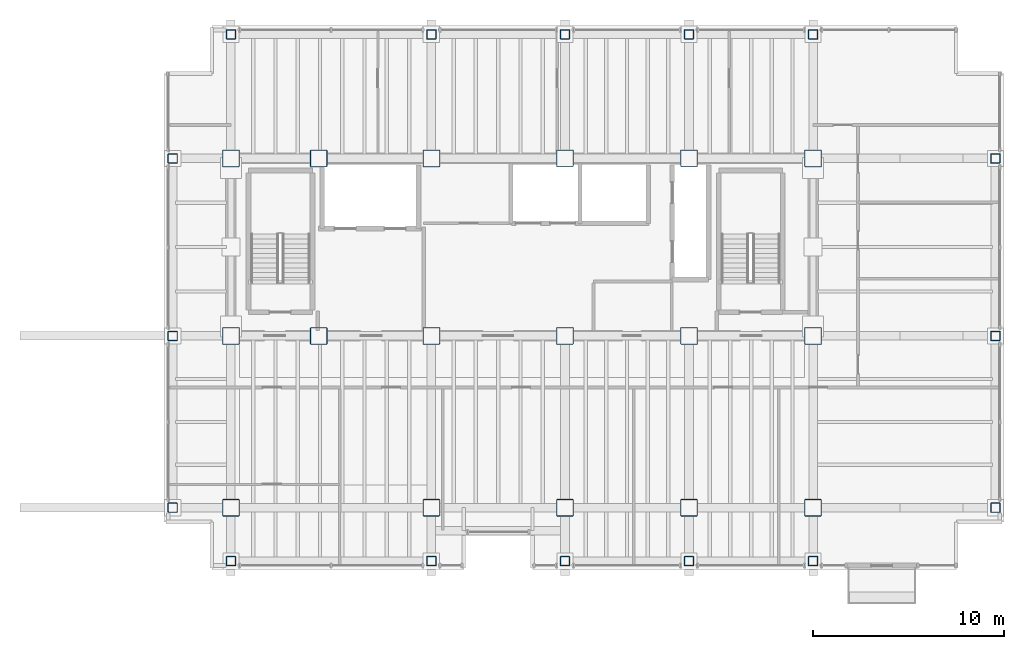
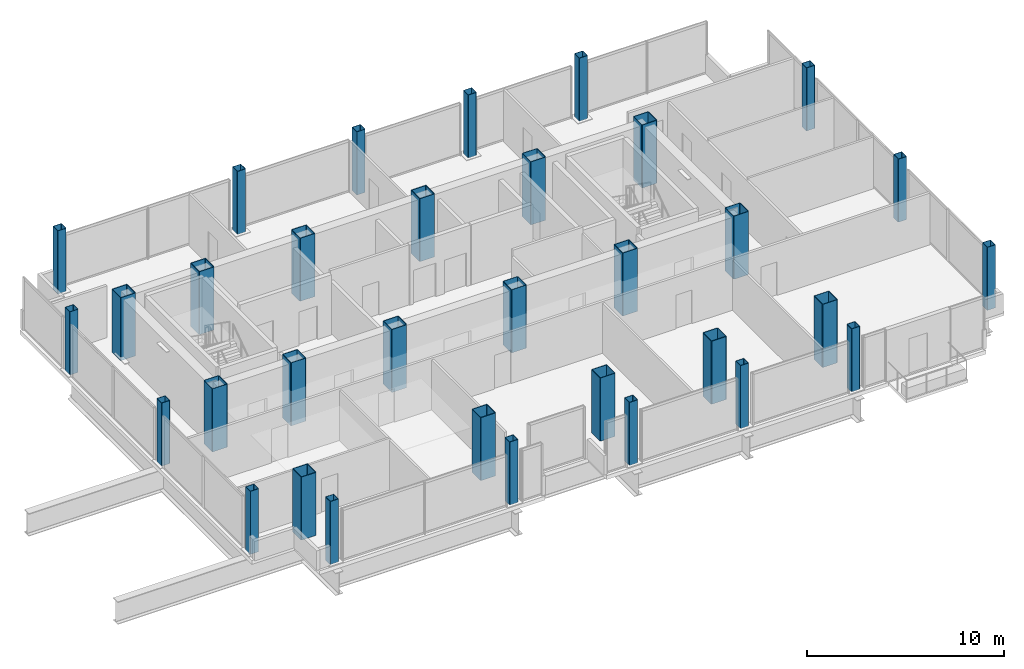
# One storey, part 1 of 19: 33 columns.
"""IFC4 building model written with IfcOpenShell, lengths in metres."""

from ifc_helpers import new_model, si_unit, direction, frame, origin, origin_2d, place, context, subcontext, project, spatial, hollow_rectangle, extrude, material, material_profile, profile_set, type_object, element, save


model = new_model("IFC4")

# Units and contexts
model_context = context("Model", 3, precision=1e-05, world=origin(), true_north=direction((0.0, 1.0)))
body_context = subcontext(model_context, "Body", "Model", "MODEL_VIEW")
ifc_project = project(units=[si_unit("LENGTHUNIT", "METRE"), si_unit("AREAUNIT", "SQUARE_METRE"), si_unit("VOLUMEUNIT", "CUBIC_METRE"), si_unit("PLANEANGLEUNIT", "RADIAN"), si_unit("MASSUNIT", "GRAM", prefix="KILO")], contexts=[model_context])

# Site, building, storey
site_placement = place(None, origin())
site = spatial("IfcSite", under=ifc_project, at=site_placement, CompositionType="ELEMENT")
building_placement = place(site_placement, origin())
building = spatial("IfcBuilding", under=site, at=building_placement, Name="Noeulbin Bourse Tower", CompositionType="ELEMENT")
storey_placement = place(building_placement, frame((0.0, 0.0, 169.5)))
storey = spatial("IfcBuildingStorey", under=building, at=storey_placement, Name="L42", CompositionType="ELEMENT", Elevation=169.5)

# Columns
ifc_material_1 = material(Name="Steel S355", Category="steel")
ifc_material_profile_1 = material_profile(ifc_material_1, hollow_rectangle(XDim=0.5, YDim=0.5, WallThickness=0.02392578125, InnerFilletRadius=0.011962890625, OuterFilletRadius=0.035888671875, at=origin_2d()), Name="BOX-500x500x24", Category="LoadBearing")
ifc_profile_set_1 = profile_set([ifc_material_profile_1], Name="Steel S355")
column_type_1 = type_object("IfcColumnType", Name="COL-PER-Z2", PredefinedType="COLUMN", material=ifc_profile_set_1)
for number, where, z_axis, x_axis, name in (
    (1, (10.449951171875, 20.0, 0.0), (0.0, 0.0, 1.0), (1.0, 0.0, 0.0), "Tower Perimeter Column COL-PER-Z2 01"),
    (2, (10.449951171875, 29.0, 0.0), (0.0, 0.0, 1.0), (1.0, 0.0, 0.0), "Tower Perimeter Column COL-PER-Z2 02"),
    (3, (10.449951171875, 38.300048828125, 0.0), (0.0, 0.0, 1.0), (1.0, 0.0, 0.0), "Tower Perimeter Column COL-PER-Z2 03"),
    (4, (13.5, 17.199951171875, 0.0), (0.0, 0.0, 1.0), (1.0, 0.0, 0.0), "Tower Perimeter Column COL-PER-Z2 04"),
    (5, (13.5, 44.800048828125, 0.0), (0.0, 0.0, 1.0), (1.0, 0.0, 0.0), "Tower Perimeter Column COL-PER-Z2 05"),
    (6, (24.0, 17.199951171875, 0.0), (0.0, 0.0, 1.0), (1.0, 0.0, 0.0), "Tower Perimeter Column COL-PER-Z2 06"),
    (7, (24.0, 44.800048828125, 0.0), (0.0, 0.0, 1.0), (1.0, 0.0, 0.0), "Tower Perimeter Column COL-PER-Z2 07"),
    (8, (31.0, 17.199951171875, 0.0), (0.0, 0.0, 1.0), (1.0, 0.0, 0.0), "Tower Perimeter Column COL-PER-Z2 08"),
    (9, (31.0, 44.800048828125, 0.0), (0.0, 0.0, 1.0), (1.0, 0.0, 0.0), "Tower Perimeter Column COL-PER-Z2 09"),
    (10, (37.5, 17.199951171875, 0.0), (0.0, 0.0, 1.0), (1.0, 0.0, 0.0), "Tower Perimeter Column COL-PER-Z2 10"),
    (11, (37.5, 44.800048828125, 0.0), (0.0, 0.0, 1.0), (1.0, 0.0, 0.0), "Tower Perimeter Column COL-PER-Z2 11"),
    (12, (44.0, 17.199951171875, 0.0), (0.0, 0.0, 1.0), (1.0, 0.0, 0.0), "Tower Perimeter Column COL-PER-Z2 12"),
    (13, (44.0, 44.800048828125, 0.0), (0.0, 0.0, 1.0), (1.0, 0.0, 0.0), "Tower Perimeter Column COL-PER-Z2 13"),
    (14, (53.550048828125, 20.0, 0.0), (0.0, 0.0, 1.0), (1.0, 0.0, 0.0), "Tower Perimeter Column COL-PER-Z2 14"),
    (15, (53.550048828125, 29.0, 0.0), (0.0, 0.0, 1.0), (1.0, 0.0, 0.0), "Tower Perimeter Column COL-PER-Z2 15"),
    (16, (53.550048828125, 38.300048828125, 0.0), (0.0, 0.0, 1.0), (1.0, 0.0, 0.0), "Tower Perimeter Column COL-PER-Z2 16"),
):
    element("IfcColumn", number, at=place(storey_placement, frame(where, z_axis=z_axis, x_axis=x_axis)), inside=storey, type_object=column_type_1, Name=name, PredefinedType="COLUMN", context=body_context, shape_type="SweptSolid", body=[
        extrude(hollow_rectangle(XDim=0.5, YDim=0.5, WallThickness=0.02392578125, InnerFilletRadius=0.011962890625, OuterFilletRadius=0.035888671875, at=origin_2d()), origin(), (0.0, 0.0, 1.0), 3.89990234375),
    ])
ifc_material_2 = material(Name="Steel S460", Category="steel")
ifc_material_profile_2 = material_profile(ifc_material_2, hollow_rectangle(XDim=0.89990234375, YDim=0.89990234375, WallThickness=0.034912109375, InnerFilletRadius=0.01708984375, OuterFilletRadius=0.052001953125, at=origin_2d()), Name="BOX-900x900x35", Category="LoadBearing")
ifc_profile_set_2 = profile_set([ifc_material_profile_2], Name="Steel S460")
column_type_2 = type_object("IfcColumnType", Name="COL-TRK-Z2", PredefinedType="COLUMN", material=ifc_profile_set_2)
for number, where, z_axis, x_axis, name in (
    (17, (13.5, 29.0, 0.0), (0.0, 0.0, 1.0), (1.0, 0.0, 0.0), "Tower Trunk Mega-Column COL-TRK-Z2 01"),
    (18, (13.5, 38.300048828125, 0.0), (0.0, 0.0, 1.0), (1.0, 0.0, 0.0), "Tower Trunk Mega-Column COL-TRK-Z2 02"),
    (19, (18.10009765625, 29.0, 0.0), (0.0, 0.0, 1.0), (1.0, 0.0, 0.0), "Tower Trunk Mega-Column COL-TRK-Z2 03"),
    (20, (18.10009765625, 38.300048828125, 0.0), (0.0, 0.0, 1.0), (1.0, 0.0, 0.0), "Tower Trunk Mega-Column COL-TRK-Z2 04"),
    (21, (24.0, 29.0, 0.0), (0.0, 0.0, 1.0), (1.0, 0.0, 0.0), "Tower Trunk Mega-Column COL-TRK-Z2 05"),
    (22, (24.0, 38.300048828125, 0.0), (0.0, 0.0, 1.0), (1.0, 0.0, 0.0), "Tower Trunk Mega-Column COL-TRK-Z2 06"),
    (23, (31.0, 29.0, 0.0), (0.0, 0.0, 1.0), (1.0, 0.0, 0.0), "Tower Trunk Mega-Column COL-TRK-Z2 07"),
    (24, (31.0, 38.300048828125, 0.0), (0.0, 0.0, 1.0), (1.0, 0.0, 0.0), "Tower Trunk Mega-Column COL-TRK-Z2 08"),
    (25, (37.5, 29.0, 0.0), (0.0, 0.0, 1.0), (1.0, 0.0, 0.0), "Tower Trunk Mega-Column COL-TRK-Z2 09"),
    (26, (37.5, 38.300048828125, 0.0), (0.0, 0.0, 1.0), (1.0, 0.0, 0.0), "Tower Trunk Mega-Column COL-TRK-Z2 10"),
    (27, (44.0, 29.0, 0.0), (0.0, 0.0, 1.0), (1.0, 0.0, 0.0), "Tower Trunk Mega-Column COL-TRK-Z2 11"),
    (28, (44.0, 38.300048828125, 0.0), (0.0, 0.0, 1.0), (1.0, 0.0, 0.0), "Tower Trunk Mega-Column COL-TRK-Z2 12"),
    (29, (13.5, 20.0, 0.0), (0.0, 0.0, 1.0), (1.0, 0.0, 0.0), "Tower Trunk Mega-Column COL-TRK-Z2 13"),
    (30, (24.0, 20.0, 0.0), (0.0, 0.0, 1.0), (1.0, 0.0, 0.0), "Tower Trunk Mega-Column COL-TRK-Z2 14"),
    (31, (31.0, 20.0, 0.0), (0.0, 0.0, 1.0), (1.0, 0.0, 0.0), "Tower Trunk Mega-Column COL-TRK-Z2 15"),
    (32, (37.5, 20.0, 0.0), (0.0, 0.0, 1.0), (1.0, 0.0, 0.0), "Tower Trunk Mega-Column COL-TRK-Z2 16"),
    (33, (44.0, 20.0, 0.0), (0.0, 0.0, 1.0), (1.0, 0.0, 0.0), "Tower Trunk Mega-Column COL-TRK-Z2 17"),
):
    element("IfcColumn", number, at=place(storey_placement, frame(where, z_axis=z_axis, x_axis=x_axis)), inside=storey, type_object=column_type_2, Name=name, PredefinedType="COLUMN", context=body_context, shape_type="SweptSolid", body=[
        extrude(hollow_rectangle(XDim=0.89990234375, YDim=0.89990234375, WallThickness=0.034912109375, InnerFilletRadius=0.01708984375, OuterFilletRadius=0.052001953125, at=origin_2d()), origin(), (0.0, 0.0, 1.0), 3.89990234375),
    ])

save(model, "model.ifc")
